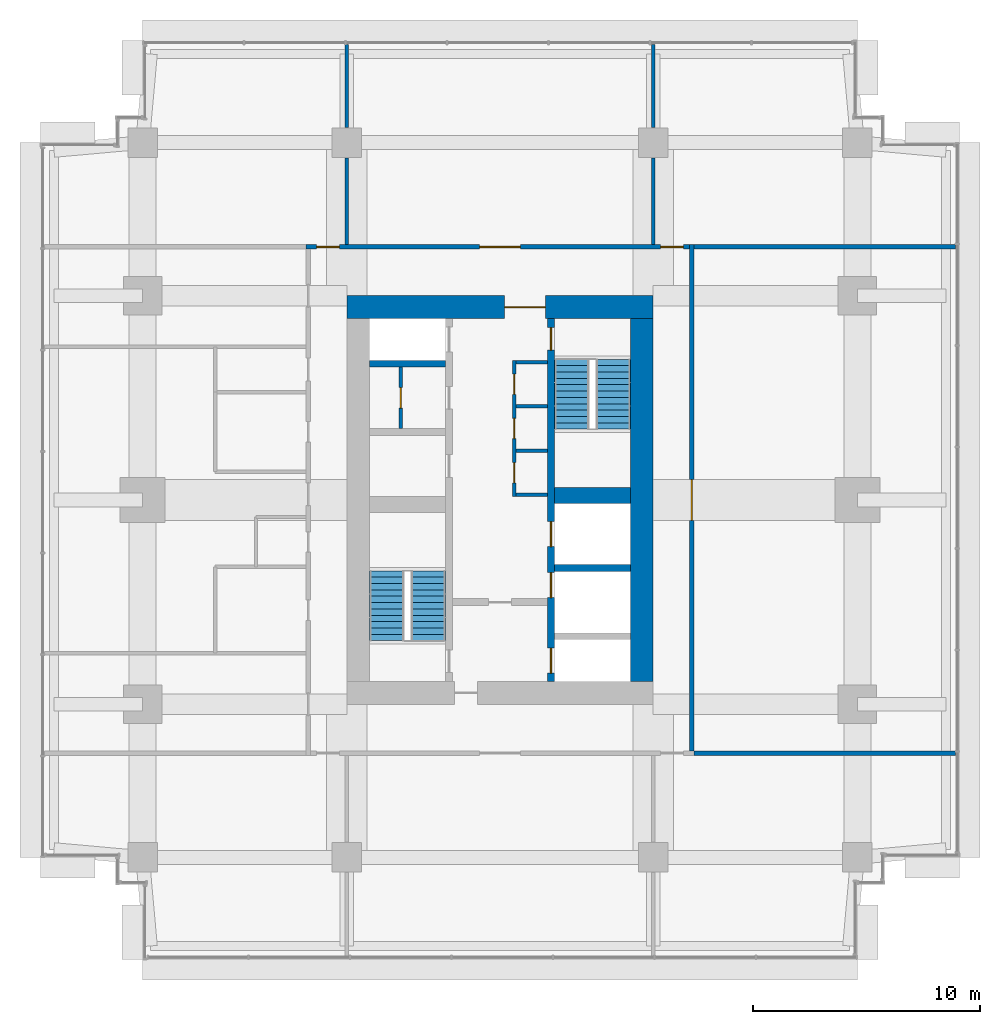
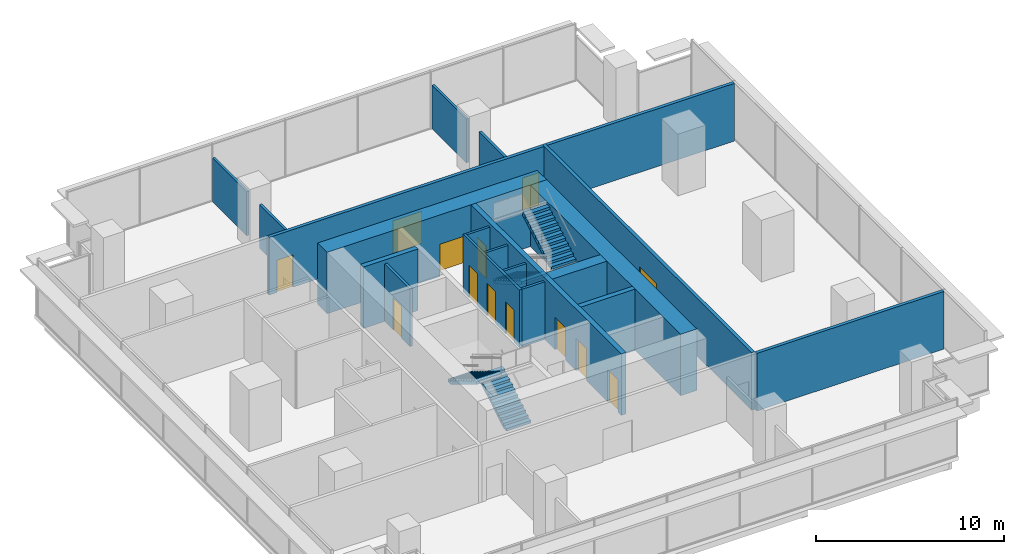
# One storey, part 12 of 13: 20 walls, 13 doors, 4 stair flights, 13 openings, 2 elements without a shape of their own.
"""IFC4 building model written with IfcOpenShell, lengths in metres."""

from ifc_helpers import new_model, si_unit, direction, frame, frame_2d, origin, place, context, subcontext, project, spatial, polyline, rectangle, outline, extrude, material, layer, layer_set, type_object, element, fill, aggregate, save


model = new_model("IFC4")

# Units and contexts
model_context = context("Model", 3, precision=1e-05, world=origin(), true_north=direction((0.0, 1.0)))
body_context = subcontext(model_context, "Body", "Model", "MODEL_VIEW")
ifc_project = project(units=[si_unit("LENGTHUNIT", "METRE"), si_unit("AREAUNIT", "SQUARE_METRE"), si_unit("VOLUMEUNIT", "CUBIC_METRE"), si_unit("PLANEANGLEUNIT", "RADIAN"), si_unit("MASSUNIT", "GRAM", prefix="KILO")], contexts=[model_context])

# Site, building, storey
site_placement = place(None, origin())
site = spatial("IfcSite", under=ifc_project, at=site_placement, CompositionType="ELEMENT")
building_placement = place(site_placement, origin())
building = spatial("IfcBuilding", under=site, at=building_placement, Name="Namib Vertical Campus", CompositionType="ELEMENT")
storey_placement = place(building_placement, frame((0.0, 0.0, 293.0)))
storey = spatial("IfcBuildingStorey", under=building, at=storey_placement, Name="L69", CompositionType="ELEMENT", Elevation=293.0)

# Wall, openings, doors
ifc_material_1 = material(Name="Concrete C60/75", Category="concrete")
ifc_layer_1 = layer(ifc_material_1, 0.300048828125)
ifc_layer_set_1 = layer_set([ifc_layer_1], Name="Concrete C60/75")
wall_type_1 = type_object("IfcWallType", Name="Core inner wall 300", PredefinedType="SHEAR", material=ifc_layer_set_1)
wall_1_placement = place(storey_placement, frame((22.5, 12.25, 0.0), z_axis=(0.0, 0.0, 1.0), x_axis=(0.0, 1.0, 0.0)))
wall_1 = element("IfcWall", 1, at=wall_1_placement, inside=storey, type_object=wall_type_1, Name="Core inner wall A L69 W2", PredefinedType="SHEAR", context=body_context, shape_type="SweptSolid", body=[
    extrude(rectangle(XDim=16.0, YDim=0.300048828125, at=frame_2d((8.0, 0.0))), origin(), (0.0, 0.0, 1.0), 4.0),
])
opening_1_placement = place(wall_1_placement, frame((14.60009765625, 0.0, 0.0)))
opening_1 = element("IfcOpeningElement", 2, at=opening_1_placement, cuts=wall_1, Name="Opening FD1", PredefinedType="OPENING", context=body_context, shape_type="SweptSolid", body=[
    extrude(rectangle(XDim=1.0, YDim=2.10009765625, at=frame_2d((0.5, 1.050048828125))), frame((0.0, 0.159912109375, 0.0), z_axis=(0.0, -1.0, 0.0), x_axis=(1.0, 0.0, 0.0)), (0.0, 0.0, 1.0), 0.320068359375),
])
opening_2_placement = place(wall_1_placement, frame((0.375, 0.0, 0.0)))
opening_2 = element("IfcOpeningElement", 3, at=opening_2_placement, cuts=wall_1, Name="Opening LD1", PredefinedType="OPENING", context=body_context, shape_type="SweptSolid", body=[
    extrude(rectangle(XDim=1.10009765625, YDim=2.10009765625, at=frame_2d((0.550048828125, 1.050048828125))), frame((0.0, 0.159912109375, 0.0), z_axis=(0.0, -1.0, 0.0), x_axis=(1.0, 0.0, 0.0)), (0.0, 0.0, 1.0), 0.320068359375),
])
opening_3_placement = place(wall_1_placement, frame((3.699951171875, 0.0, 0.0)))
opening_3 = element("IfcOpeningElement", 4, at=opening_3_placement, cuts=wall_1, Name="Opening LD1", PredefinedType="OPENING", context=body_context, shape_type="SweptSolid", body=[
    extrude(rectangle(XDim=1.10009765625, YDim=2.10009765625, at=frame_2d((0.550048828125, 1.050048828125))), frame((0.0, 0.159912109375, 0.0), z_axis=(0.0, -1.0, 0.0), x_axis=(1.0, 0.0, 0.0)), (0.0, 0.0, 1.0), 0.320068359375),
])
opening_4_placement = place(wall_1_placement, frame((5.949951171875, 0.0, 0.0)))
opening_4 = element("IfcOpeningElement", 5, at=opening_4_placement, cuts=wall_1, Name="Opening LD1", PredefinedType="OPENING", context=body_context, shape_type="SweptSolid", body=[
    extrude(rectangle(XDim=1.10009765625, YDim=2.10009765625, at=frame_2d((0.550048828125, 1.050048828125))), frame((0.0, 0.159912109375, 0.0), z_axis=(0.0, -1.0, 0.0), x_axis=(1.0, 0.0, 0.0)), (0.0, 0.0, 1.0), 0.320068359375),
])
ifc_material_2 = material(Name="Steel fire door", Category="steel")
door_type_1 = type_object("IfcDoorType", Name="Fire door 1000x2100", OperationType="SINGLE_SWING_RIGHT", PredefinedType="DOOR", material=ifc_material_2)
door_1_placement = place(opening_1_placement, frame((1.0, 0.0, 0.0), z_axis=(0.0, 0.0, 1.0), x_axis=(-1.0, 0.0, 0.0)))
door_1 = element("IfcDoor", 6, at=door_1_placement, inside=storey, type_object=door_type_1, Name="Stair door FD1 A L69 S2", OperationType="SINGLE_SWING_LEFT", OverallHeight=2.10009765625, OverallWidth=1.0, PredefinedType="DOOR", context=body_context, shape_type="SweptSolid", body=[
    extrude(rectangle(XDim=1.0, YDim=2.10009765625, at=frame_2d((0.5, 1.050048828125))), frame((0.0, 0.02490234375, 0.0), z_axis=(0.0, -1.0, 0.0), x_axis=(1.0, 0.0, 0.0)), (0.0, 0.0, 1.0), 0.050048828125),
])
fill(opening_1, door_1)
ifc_material_3 = material(Name="Stainless steel lift door", Category="steel")
door_type_2 = type_object("IfcDoorType", Name="Lift landing door 1100x2100", OperationType="DOUBLE_DOOR_SLIDING", PredefinedType="DOOR", material=ifc_material_3)
door_2_placement = place(opening_2_placement, origin())
door_2 = element("IfcDoor", 7, at=door_2_placement, inside=storey, type_object=door_type_2, Name="Lift landing door LD1 A-FL1 L69", OperationType="DOUBLE_DOOR_SLIDING", OverallHeight=2.10009765625, OverallWidth=1.10009765625, PredefinedType="DOOR", context=body_context, shape_type="SweptSolid", body=[
    extrude(rectangle(XDim=1.10009765625, YDim=2.10009765625, at=frame_2d((0.550048828125, 1.050048828125))), frame((0.0, 0.02490234375, 0.0), z_axis=(0.0, -1.0, 0.0), x_axis=(1.0, 0.0, 0.0)), (0.0, 0.0, 1.0), 0.050048828125),
])
fill(opening_2, door_2)
door_3_placement = place(opening_3_placement, origin())
door_3 = element("IfcDoor", 8, at=door_3_placement, inside=storey, type_object=door_type_2, Name="Lift landing door LD1 A-P4 L69", OperationType="DOUBLE_DOOR_SLIDING", OverallHeight=2.10009765625, OverallWidth=1.10009765625, PredefinedType="DOOR", context=body_context, shape_type="SweptSolid", body=[
    extrude(rectangle(XDim=1.10009765625, YDim=2.10009765625, at=frame_2d((0.550048828125, 1.050048828125))), frame((0.0, 0.02490234375, 0.0), z_axis=(0.0, -1.0, 0.0), x_axis=(1.0, 0.0, 0.0)), (0.0, 0.0, 1.0), 0.050048828125),
])
fill(opening_3, door_3)
door_4_placement = place(opening_4_placement, origin())
door_4 = element("IfcDoor", 9, at=door_4_placement, inside=storey, type_object=door_type_2, Name="Lift landing door LD1 A-P5 L69", OperationType="DOUBLE_DOOR_SLIDING", OverallHeight=2.10009765625, OverallWidth=1.10009765625, PredefinedType="DOOR", context=body_context, shape_type="SweptSolid", body=[
    extrude(rectangle(XDim=1.10009765625, YDim=2.10009765625, at=frame_2d((0.550048828125, 1.050048828125))), frame((0.0, 0.02490234375, 0.0), z_axis=(0.0, -1.0, 0.0), x_axis=(1.0, 0.0, 0.0)), (0.0, 0.0, 1.0), 0.050048828125),
])
fill(opening_4, door_4)

# Walls
for number, where, z_axis, x_axis, name in (
    (10, (22.64990234375, 17.25, 0.0), (0.0, 0.0, 1.0), (1.0, 0.0, 0.0), "Core inner wall A L69 W6"),
    (11, (14.5, 26.25, 0.0), (0.0, 0.0, 1.0), (1.0, 0.0, 0.0), "Core inner wall A L69 W9"),
):
    element("IfcWall", number, at=place(storey_placement, frame(where, z_axis=z_axis, x_axis=x_axis)), inside=storey, type_object=wall_type_1, Name=name, PredefinedType="SHEAR", context=body_context, shape_type="SweptSolid", body=[
        extrude(rectangle(XDim=3.35009765625, YDim=0.300048828125, at=frame_2d((1.675048828125, 0.0))), origin(), (0.0, 0.0, 1.0), 4.0),
    ])
ifc_material_4 = material(Name="Concrete C60/75", Category="concrete")
ifc_layer_2 = layer(ifc_material_4, 0.699951171875)
ifc_layer_set_2 = layer_set([ifc_layer_2], Name="Concrete C60/75")
wall_type_2 = type_object("IfcWallType", Name="Core shear wall 700", PredefinedType="SHEAR", material=ifc_layer_set_2)
wall_2_placement = place(storey_placement, frame((22.64990234375, 20.449951171875, 0.0), z_axis=(0.0, 0.0, 1.0), x_axis=(1.0, 0.0, 0.0)))
element("IfcWall", 12, at=wall_2_placement, inside=storey, type_object=wall_type_2, Name="Core shear wall A L69 W7", PredefinedType="SHEAR", context=body_context, shape_type="SweptSolid", body=[
    extrude(rectangle(XDim=3.35009765625, YDim=0.699951171875, at=frame_2d((1.675048828125, 0.0))), origin(), (0.0, 0.0, 1.0), 4.0),
])
ifc_material_5 = material(Name="Concrete C60/75", Category="concrete")
ifc_layer_3 = layer(ifc_material_5, 1.0)
ifc_layer_set_3 = layer_set([ifc_layer_3], Name="Concrete C60/75")
wall_type_3 = type_object("IfcWallType", Name="Core wall 1000", PredefinedType="SHEAR", material=ifc_layer_set_3)
wall_3_placement = place(storey_placement, frame((26.5, 12.25, 0.0), z_axis=(0.0, 0.0, 1.0), x_axis=(0.0, 1.0, 0.0)))
element("IfcWall", 13, at=wall_3_placement, inside=storey, type_object=wall_type_3, Name="Core wall A L69 2", PredefinedType="SHEAR", context=body_context, shape_type="SweptSolid", body=[
    extrude(rectangle(XDim=16.0, YDim=1.0, at=frame_2d((8.0, 0.0))), origin(), (0.0, 0.0, 1.0), 4.0),
])

# Wall, opening, door
wall_4_placement = place(storey_placement, frame((27.0, 28.75, 0.0), z_axis=(0.0, 0.0, 1.0), x_axis=(-1.0, 0.0, 0.0)))
wall_4 = element("IfcWall", 14, at=wall_4_placement, inside=storey, type_object=wall_type_3, Name="Core wall A L69 3", PredefinedType="SHEAR", context=body_context, shape_type="SweptSolid", body=[
    extrude(rectangle(XDim=13.5, YDim=1.0, at=frame_2d((6.75, 0.0))), origin(), (0.0, 0.0, 1.0), 4.0),
])
opening_5_placement = place(wall_4_placement, frame((4.75, 0.0, 0.0)))
opening_5 = element("IfcOpeningElement", 15, at=opening_5_placement, cuts=wall_4, Name="Opening FD2", PredefinedType="OPENING", context=body_context, shape_type="SweptSolid", body=[
    extrude(rectangle(XDim=1.800048828125, YDim=2.10009765625, at=frame_2d((0.89990234375, 1.050048828125))), frame((0.0, 0.510009765625, 0.0), z_axis=(0.0, -1.0, 0.0), x_axis=(1.0, 0.0, 0.0)), (0.0, 0.0, 1.0), 1.02001953125),
])
ifc_material_6 = material(Name="Steel fire door", Category="steel")
door_type_3 = type_object("IfcDoorType", Name="Fire door double 1800x2100", OperationType="DOUBLE_DOOR_SINGLE_SWING", PredefinedType="DOOR", material=ifc_material_6)
door_5_placement = place(opening_5_placement, origin())
door_5 = element("IfcDoor", 16, at=door_5_placement, inside=storey, type_object=door_type_3, Name="Lift lobby door FD2 A L69", OperationType="DOUBLE_DOOR_SINGLE_SWING", OverallHeight=2.10009765625, OverallWidth=1.800048828125, PredefinedType="DOOR", context=body_context, shape_type="SweptSolid", body=[
    extrude(rectangle(XDim=1.800048828125, YDim=2.10009765625, at=frame_2d((0.89990234375, 1.050048828125))), frame((0.0, 0.02490234375, 0.0), z_axis=(0.0, -1.0, 0.0), x_axis=(1.0, 0.0, 0.0)), (0.0, 0.0, 1.0), 0.050048828125),
])
fill(opening_5, door_5)

ifc_material_7 = material(Name="Concrete masonry", Category="masonry")
ifc_layer_4 = layer(ifc_material_7, 0.199951171875)
ifc_layer_set_4 = layer_set([ifc_layer_4], Name="Corridor wall 200")
wall_type_4 = type_object("IfcWallType", Name="Corridor wall 200", PredefinedType="SOLIDWALL", material=ifc_layer_set_4)
wall_5_placement = place(storey_placement, frame((28.699951171875, 9.199951171875, 0.0), z_axis=(0.0, 0.0, 1.0), x_axis=(0.0, 1.0, 0.0)))
wall_5 = element("IfcWall", 17, at=wall_5_placement, inside=storey, type_object=wall_type_4, Name="Corridor wall A L69 CE", PredefinedType="SOLIDWALL", context=body_context, shape_type="SweptSolid", body=[
    extrude(rectangle(XDim=22.300048828125, YDim=0.199951171875, at=frame_2d((11.14990234375, 0.0))), origin(), (0.0, 0.0, 1.0), 3.75),
])
opening_6_placement = place(wall_5_placement, frame((10.14990234375, 0.0, 0.0)))
opening_6 = element("IfcOpeningElement", 18, at=opening_6_placement, cuts=wall_5, Name="Opening CD2", PredefinedType="OPENING", context=body_context, shape_type="SweptSolid", body=[
    extrude(rectangle(XDim=1.800048828125, YDim=2.10009765625, at=frame_2d((0.89990234375, 1.050048828125))), frame((0.0, 0.10986328125, 0.0), z_axis=(0.0, -1.0, 0.0), x_axis=(1.0, 0.0, 0.0)), (0.0, 0.0, 1.0), 0.219970703125),
])
ifc_material_8 = material(Name="Timber fire door leaf", Category="wood")
door_type_4 = type_object("IfcDoorType", Name="Corridor door double 1800x2100 20 min", OperationType="DOUBLE_DOOR_SINGLE_SWING", PredefinedType="DOOR", material=ifc_material_8)
door_6_placement = place(opening_6_placement, frame((1.800048828125, 0.0, 0.0), z_axis=(0.0, 0.0, 1.0), x_axis=(-1.0, 0.0, 0.0)))
door_6 = element("IfcDoor", 19, at=door_6_placement, inside=storey, type_object=door_type_4, Name="Door CD2 A69-04", OperationType="DOUBLE_DOOR_SINGLE_SWING", OverallHeight=2.10009765625, OverallWidth=1.800048828125, PredefinedType="DOOR", context=body_context, shape_type="SweptSolid", body=[
    extrude(rectangle(XDim=1.800048828125, YDim=2.10009765625, at=frame_2d((0.89990234375, 1.050048828125))), frame((0.0, 0.02490234375, 0.0), z_axis=(0.0, -1.0, 0.0), x_axis=(1.0, 0.0, 0.0)), (0.0, 0.0, 1.0), 0.050048828125),
])
fill(opening_6, door_6)

# Wall, openings, doors
wall_6_placement = place(storey_placement, frame((28.60009765625, 31.39990234375, 0.0), z_axis=(0.0, 0.0, 1.0), x_axis=(-1.0, 0.0, 0.0)))
wall_6 = element("IfcWall", 20, at=wall_6_placement, inside=storey, type_object=wall_type_4, Name="Corridor wall A L69 CN", PredefinedType="SOLIDWALL", context=body_context, shape_type="SweptSolid", body=[
    extrude(rectangle(XDim=16.900146484375, YDim=0.199951171875, at=frame_2d((8.4501953125, 0.0))), origin(), (0.0, 0.0, 1.0), 3.75),
])
opening_7_placement = place(wall_6_placement, frame((15.425048828125, 0.0, 0.0)))
opening_7 = element("IfcOpeningElement", 21, at=opening_7_placement, cuts=wall_6, Name="Opening CD1", PredefinedType="OPENING", context=body_context, shape_type="SweptSolid", body=[
    extrude(rectangle(XDim=1.0, YDim=2.10009765625, at=frame_2d((0.5, 1.050048828125))), frame((0.0, 0.10986328125, 0.0), z_axis=(0.0, -1.0, 0.0), x_axis=(1.0, 0.0, 0.0)), (0.0, 0.0, 1.0), 0.219970703125),
])
opening_8_placement = place(wall_6_placement, frame((7.449951171875, 0.0, 0.0)))
opening_8 = element("IfcOpeningElement", 22, at=opening_8_placement, cuts=wall_6, Name="Opening CD2", PredefinedType="OPENING", context=body_context, shape_type="SweptSolid", body=[
    extrude(rectangle(XDim=1.800048828125, YDim=2.10009765625, at=frame_2d((0.89990234375, 1.050048828125))), frame((0.0, 0.10986328125, 0.0), z_axis=(0.0, -1.0, 0.0), x_axis=(1.0, 0.0, 0.0)), (0.0, 0.0, 1.0), 0.219970703125),
])
opening_9_placement = place(wall_6_placement, frame((0.27490234375, 0.0, 0.0)))
opening_9 = element("IfcOpeningElement", 23, at=opening_9_placement, cuts=wall_6, Name="Opening CD1", PredefinedType="OPENING", context=body_context, shape_type="SweptSolid", body=[
    extrude(rectangle(XDim=1.0, YDim=2.10009765625, at=frame_2d((0.5, 1.050048828125))), frame((0.0, 0.10986328125, 0.0), z_axis=(0.0, -1.0, 0.0), x_axis=(1.0, 0.0, 0.0)), (0.0, 0.0, 1.0), 0.219970703125),
])
ifc_material_9 = material(Name="Timber fire door leaf", Category="wood")
door_type_5 = type_object("IfcDoorType", Name="Corridor door 1000x2100 20 min", OperationType="SINGLE_SWING_LEFT", PredefinedType="DOOR", material=ifc_material_9)
door_7_placement = place(opening_7_placement, frame((1.0, 0.0, 0.0), z_axis=(0.0, 0.0, 1.0), x_axis=(-1.0, 0.0, 0.0)))
door_7 = element("IfcDoor", 24, at=door_7_placement, inside=storey, type_object=door_type_5, Name="Door CD1 A69-05", OperationType="SINGLE_SWING_RIGHT", OverallHeight=2.10009765625, OverallWidth=1.0, PredefinedType="DOOR", context=body_context, shape_type="SweptSolid", body=[
    extrude(rectangle(XDim=1.0, YDim=2.10009765625, at=frame_2d((0.5, 1.050048828125))), frame((0.0, 0.02490234375, 0.0), z_axis=(0.0, -1.0, 0.0), x_axis=(1.0, 0.0, 0.0)), (0.0, 0.0, 1.0), 0.050048828125),
])
fill(opening_7, door_7)
door_8_placement = place(opening_9_placement, frame((1.0, 0.0, 0.0), z_axis=(0.0, 0.0, 1.0), x_axis=(-1.0, 0.0, 0.0)))
door_8 = element("IfcDoor", 25, at=door_8_placement, inside=storey, type_object=door_type_5, Name="Door CD1 A69-07", OperationType="SINGLE_SWING_LEFT", OverallHeight=2.10009765625, OverallWidth=1.0, PredefinedType="DOOR", context=body_context, shape_type="SweptSolid", body=[
    extrude(rectangle(XDim=1.0, YDim=2.10009765625, at=frame_2d((0.5, 1.050048828125))), frame((0.0, 0.02490234375, 0.0), z_axis=(0.0, -1.0, 0.0), x_axis=(1.0, 0.0, 0.0)), (0.0, 0.0, 1.0), 0.050048828125),
])
fill(opening_9, door_8)
door_9_placement = place(opening_8_placement, frame((1.800048828125, 0.0, 0.0), z_axis=(0.0, 0.0, 1.0), x_axis=(-1.0, 0.0, 0.0)))
door_9 = element("IfcDoor", 26, at=door_9_placement, inside=storey, type_object=door_type_4, Name="Door CD2 A69-06", OperationType="DOUBLE_DOOR_SINGLE_SWING", OverallHeight=2.10009765625, OverallWidth=1.800048828125, PredefinedType="DOOR", context=body_context, shape_type="SweptSolid", body=[
    extrude(rectangle(XDim=1.800048828125, YDim=2.10009765625, at=frame_2d((0.89990234375, 1.050048828125))), frame((0.0, 0.02490234375, 0.0), z_axis=(0.0, -1.0, 0.0), x_axis=(1.0, 0.0, 0.0)), (0.0, 0.0, 1.0), 0.050048828125),
])
fill(opening_8, door_9)

# Walls
for number, where, z_axis, x_axis, name in (
    (27, (28.800048828125, 9.10009765625, 0.0), (0.0, 0.0, 1.0), (1.0, 0.0, 0.0), "Partition A L69 BSE"),
    (28, (28.800048828125, 31.39990234375, 0.0), (0.0, 0.0, 1.0), (1.0, 0.0, 0.0), "Partition A L69 BNE"),
):
    element("IfcWall", number, at=place(storey_placement, frame(where, z_axis=z_axis, x_axis=x_axis)), inside=storey, type_object=wall_type_4, Name=name, PredefinedType="SOLIDWALL", context=body_context, shape_type="SweptSolid", body=[
        extrude(rectangle(XDim=11.52001953125, YDim=0.199951171875, at=frame_2d((5.760009765625, 0.0))), origin(), (0.0, 0.0, 1.0), 3.75),
    ])

# Wall, openings, doors
ifc_material_10 = material(Name="Gypsum board on steel studs", Category="steel")
ifc_layer_5 = layer(ifc_material_10, 0.14990234375)
ifc_layer_set_5 = layer_set([ifc_layer_5], Name="Gypsum board on steel studs")
wall_type_5 = type_object("IfcWallType", Name="Partition 150", PredefinedType="PARTITIONING", material=ifc_layer_set_5)
wall_7_placement = place(storey_placement, frame((20.875, 20.39990234375, 0.0), z_axis=(0.0, 0.0, 1.0), x_axis=(0.0, 1.0, 0.0)))
wall_7 = element("IfcWall", 29, at=wall_7_placement, inside=storey, type_object=wall_type_5, Name="Partition A L69 Records store and Cleaners' store and Linen store front", PredefinedType="PARTITIONING", context=body_context, shape_type="SweptSolid", body=[
    extrude(rectangle(XDim=6.0, YDim=0.14990234375, at=frame_2d((3.0, 0.0))), origin(), (0.0, 0.0, 1.0), 3.75),
])
opening_10_placement = place(wall_7_placement, frame((0.60009765625, 0.0, 0.0)))
opening_10 = element("IfcOpeningElement", 30, at=opening_10_placement, cuts=wall_7, Name="Opening D3", PredefinedType="OPENING", context=body_context, shape_type="SweptSolid", body=[
    extrude(rectangle(XDim=0.89990234375, YDim=2.10009765625, at=frame_2d((0.449951171875, 1.050048828125))), frame((0.0, 0.0849609375, 0.0), z_axis=(0.0, -1.0, 0.0), x_axis=(1.0, 0.0, 0.0)), (0.0, 0.0, 1.0), 0.169921875),
])
opening_11_placement = place(wall_7_placement, frame((2.550048828125, 0.0, 0.0)))
opening_11 = element("IfcOpeningElement", 31, at=opening_11_placement, cuts=wall_7, Name="Opening D3", PredefinedType="OPENING", context=body_context, shape_type="SweptSolid", body=[
    extrude(rectangle(XDim=0.89990234375, YDim=2.10009765625, at=frame_2d((0.449951171875, 1.050048828125))), frame((0.0, 0.0849609375, 0.0), z_axis=(0.0, -1.0, 0.0), x_axis=(1.0, 0.0, 0.0)), (0.0, 0.0, 1.0), 0.169921875),
])
opening_12_placement = place(wall_7_placement, frame((4.5, 0.0, 0.0)))
opening_12 = element("IfcOpeningElement", 32, at=opening_12_placement, cuts=wall_7, Name="Opening D3", PredefinedType="OPENING", context=body_context, shape_type="SweptSolid", body=[
    extrude(rectangle(XDim=0.89990234375, YDim=2.10009765625, at=frame_2d((0.449951171875, 1.050048828125))), frame((0.0, 0.0849609375, 0.0), z_axis=(0.0, -1.0, 0.0), x_axis=(1.0, 0.0, 0.0)), (0.0, 0.0, 1.0), 0.169921875),
])
ifc_material_11 = material(Name="Timber door leaf", Category="wood")
door_type_6 = type_object("IfcDoorType", Name="Toilet door 900x2100", OperationType="SINGLE_SWING_LEFT", PredefinedType="DOOR", material=ifc_material_11)
door_10_placement = place(opening_10_placement, frame((0.89990234375, 0.0, 0.0), z_axis=(0.0, 0.0, 1.0), x_axis=(-1.0, 0.0, 0.0)))
door_10 = element("IfcDoor", 33, at=door_10_placement, inside=storey, type_object=door_type_6, Name="Door D3 Records store A L69", OperationType="SINGLE_SWING_RIGHT", OverallHeight=2.10009765625, OverallWidth=0.89990234375, PredefinedType="DOOR", context=body_context, shape_type="SweptSolid", body=[
    extrude(rectangle(XDim=0.89990234375, YDim=2.10009765625, at=frame_2d((0.449951171875, 1.050048828125))), frame((0.0, 0.02490234375, 0.0), z_axis=(0.0, -1.0, 0.0), x_axis=(1.0, 0.0, 0.0)), (0.0, 0.0, 1.0), 0.050048828125),
])
fill(opening_10, door_10)
door_11_placement = place(opening_11_placement, frame((0.89990234375, 0.0, 0.0), z_axis=(0.0, 0.0, 1.0), x_axis=(-1.0, 0.0, 0.0)))
door_11 = element("IfcDoor", 34, at=door_11_placement, inside=storey, type_object=door_type_6, Name="Door D3 Cleaners' store A L69", OperationType="SINGLE_SWING_RIGHT", OverallHeight=2.10009765625, OverallWidth=0.89990234375, PredefinedType="DOOR", context=body_context, shape_type="SweptSolid", body=[
    extrude(rectangle(XDim=0.89990234375, YDim=2.10009765625, at=frame_2d((0.449951171875, 1.050048828125))), frame((0.0, 0.02490234375, 0.0), z_axis=(0.0, -1.0, 0.0), x_axis=(1.0, 0.0, 0.0)), (0.0, 0.0, 1.0), 0.050048828125),
])
fill(opening_11, door_11)
door_12_placement = place(opening_12_placement, frame((0.89990234375, 0.0, 0.0), z_axis=(0.0, 0.0, 1.0), x_axis=(-1.0, 0.0, 0.0)))
door_12 = element("IfcDoor", 35, at=door_12_placement, inside=storey, type_object=door_type_6, Name="Door D3 Linen store A L69", OperationType="SINGLE_SWING_RIGHT", OverallHeight=2.10009765625, OverallWidth=0.89990234375, PredefinedType="DOOR", context=body_context, shape_type="SweptSolid", body=[
    extrude(rectangle(XDim=0.89990234375, YDim=2.10009765625, at=frame_2d((0.449951171875, 1.050048828125))), frame((0.0, 0.02490234375, 0.0), z_axis=(0.0, -1.0, 0.0), x_axis=(1.0, 0.0, 0.0)), (0.0, 0.0, 1.0), 0.050048828125),
])
fill(opening_12, door_12)

# Walls
for number, where, z_axis, x_axis, name in (
    (36, (20.949951171875, 20.47509765625, 0.0), (0.0, 0.0, 1.0), (1.0, 0.0, 0.0), "Partition A L69 Records store and Cleaners' store and Linen store end 1"),
    (37, (20.949951171875, 22.425048828125, 0.0), (0.0, 0.0, 1.0), (1.0, 0.0, 0.0), "Partition A L69 Records store and Cleaners' store and Linen store division 2"),
    (38, (20.949951171875, 24.375, 0.0), (0.0, 0.0, 1.0), (1.0, 0.0, 0.0), "Partition A L69 Records store and Cleaners' store and Linen store division 3"),
    (39, (20.949951171875, 26.324951171875, 0.0), (0.0, 0.0, 1.0), (1.0, 0.0, 0.0), "Partition A L69 Records store and Cleaners' store and Linen store end 4"),
):
    element("IfcWall", number, at=place(storey_placement, frame(where, z_axis=z_axis, x_axis=x_axis)), inside=storey, type_object=wall_type_5, Name=name, PredefinedType="PARTITIONING", context=body_context, shape_type="SweptSolid", body=[
        extrude(rectangle(XDim=1.400146484375, YDim=0.14990234375, at=frame_2d((0.7001953125, 0.0))), origin(), (0.0, 0.0, 1.0), 3.75),
    ])

# Wall, opening, door
wall_8_placement = place(storey_placement, frame((15.875, 23.39990234375, 0.0), z_axis=(0.0, 0.0, 1.0), x_axis=(0.0, 1.0, 0.0)))
wall_8 = element("IfcWall", 40, at=wall_8_placement, inside=storey, type_object=wall_type_5, Name="Partition A L69 Records store P2 back", PredefinedType="PARTITIONING", context=body_context, shape_type="SweptSolid", body=[
    extrude(rectangle(XDim=2.7001953125, YDim=0.14990234375, at=frame_2d((1.35009765625, 0.0))), origin(), (0.0, 0.0, 1.0), 3.75),
])
opening_13_placement = place(wall_8_placement, frame((0.89990234375, 0.0, 0.0)))
opening_13 = element("IfcOpeningElement", 41, at=opening_13_placement, cuts=wall_8, Name="Opening D3", PredefinedType="OPENING", context=body_context, shape_type="SweptSolid", body=[
    extrude(rectangle(XDim=0.89990234375, YDim=2.10009765625, at=frame_2d((0.449951171875, 1.050048828125))), frame((0.0, 0.0849609375, 0.0), z_axis=(0.0, -1.0, 0.0), x_axis=(1.0, 0.0, 0.0)), (0.0, 0.0, 1.0), 0.169921875),
])
door_13_placement = place(opening_13_placement, origin())
door_13 = element("IfcDoor", 42, at=door_13_placement, inside=storey, type_object=door_type_6, Name="Door D3 Store A L69 P2", OperationType="SINGLE_SWING_LEFT", OverallHeight=2.10009765625, OverallWidth=0.89990234375, PredefinedType="DOOR", context=body_context, shape_type="SweptSolid", body=[
    extrude(rectangle(XDim=0.89990234375, YDim=2.10009765625, at=frame_2d((0.449951171875, 1.050048828125))), frame((0.0, 0.02490234375, 0.0), z_axis=(0.0, -1.0, 0.0), x_axis=(1.0, 0.0, 0.0)), (0.0, 0.0, 1.0), 0.050048828125),
])
fill(opening_13, door_13)

# Walls
wall_9_placement = place(storey_placement, frame((13.5, 31.5, 0.0), z_axis=(0.0, 0.0, 1.0), x_axis=(0.0, 1.0, 0.0)))
element("IfcWall", 43, at=wall_9_placement, inside=storey, type_object=wall_type_5, Name="Partition A L69 PN1", PredefinedType="PARTITIONING", context=body_context, shape_type="SweptSolid", body=[
    extrude(rectangle(XDim=3.830078125, YDim=0.14990234375, at=frame_2d((1.9150390625, 0.0))), origin(), (0.0, 0.0, 1.0), 2.85009765625),
])
wall_10_placement = place(storey_placement, frame((13.5, 36.669921875, 0.0), z_axis=(0.0, 0.0, 1.0), x_axis=(0.0, 1.0, 0.0)))
element("IfcWall", 44, at=wall_10_placement, inside=storey, type_object=wall_type_5, Name="Partition A L69 PN1", PredefinedType="PARTITIONING", context=body_context, shape_type="SweptSolid", body=[
    extrude(rectangle(XDim=3.650146484375, YDim=0.14990234375, at=frame_2d((1.8251953125, 0.0))), origin(), (0.0, 0.0, 1.0), 2.85009765625),
])
wall_11_placement = place(storey_placement, frame((27.0, 31.5, 0.0), z_axis=(0.0, 0.0, 1.0), x_axis=(0.0, 1.0, 0.0)))
element("IfcWall", 45, at=wall_11_placement, inside=storey, type_object=wall_type_5, Name="Partition A L69 PN2", PredefinedType="PARTITIONING", context=body_context, shape_type="SweptSolid", body=[
    extrude(rectangle(XDim=3.830078125, YDim=0.14990234375, at=frame_2d((1.9150390625, 0.0))), origin(), (0.0, 0.0, 1.0), 2.85009765625),
])
wall_12_placement = place(storey_placement, frame((27.0, 36.669921875, 0.0), z_axis=(0.0, 0.0, 1.0), x_axis=(0.0, 1.0, 0.0)))
element("IfcWall", 46, at=wall_12_placement, inside=storey, type_object=wall_type_5, Name="Partition A L69 PN2", PredefinedType="PARTITIONING", context=body_context, shape_type="SweptSolid", body=[
    extrude(rectangle(XDim=3.650146484375, YDim=0.14990234375, at=frame_2d((1.8251953125, 0.0))), origin(), (0.0, 0.0, 1.0), 2.85009765625),
])

# Stair, stair flights
ifc_material_12 = material(Name="Concrete C40/50 precast", Category="concrete")
stair_type = type_object("IfcStairType", Name="Exit stair 4000 rise 24 risers 3350 wide", PredefinedType="HALF_TURN_STAIR", material=ifc_material_12)
stair_1_placement = place(storey_placement, origin())
stair_1 = element("IfcStair", 47, at=stair_1_placement, inside=storey, type_object=stair_type, Name="Exit stair A-S1 L69", PredefinedType="HALF_TURN_STAIR")
ifc_material_13 = material(Name="Concrete C40/50 precast", Category="concrete")
stair_flight_type = type_object("IfcStairFlightType", Name="Stair flight 12 risers 167 1525 wide", PredefinedType="STRAIGHT", material=ifc_material_13)
stair_flight_1_placement = place(storey_placement, frame((17.08740234375, 14.050048828125, 0.0), z_axis=(0.0, 0.0, 1.0), x_axis=(0.0, 1.0, 0.0)))
stair_flight_1 = element("IfcStairFlight", 48, at=stair_flight_1_placement, type_object=stair_flight_type, Name="A-S1 flight 1", NumberOfRisers=12, NumberOfTreads=11, PredefinedType="STRAIGHT", RiserHeight=0.166666667, TreadLength=0.28, context=body_context, shape_type="SweptSolid", body=[
    extrude(outline(polyline([(0.0, 0.0), (0.0, 0.166748046875), (0.280029296875, 0.166748046875), (0.280029296875, 0.333251953125), (0.56005859375, 0.333251953125), (0.56005859375, 0.5), (0.840087890625, 0.5), (0.840087890625, 0.666748046875), (1.1201171875, 0.666748046875), (1.1201171875, 0.833251953125), (1.39990234375, 0.833251953125), (1.39990234375, 1.0), (1.679931640625, 1.0), (1.679931640625, 1.166748046875), (1.9599609375, 1.166748046875), (1.9599609375, 1.333251953125), (2.239990234375, 1.333251953125), (2.239990234375, 1.5), (2.52001953125, 1.5), (2.52001953125, 1.666748046875), (2.800048828125, 1.666748046875), (2.800048828125, 1.833251953125), (3.080078125, 1.833251953125), (3.080078125, 2.0), (3.080078125, 1.658935546875), (0.29296875, 0.0), (0.0, 0.0)])), frame((0.0, 0.762451171875, 0.0), z_axis=(0.0, -1.0, 0.0), x_axis=(1.0, 0.0, 0.0)), (0.0, 0.0, 1.0), 1.52490234375),
])
stair_flight_2_placement = place(storey_placement, frame((15.262451171875, 17.1298828125, 2.0), z_axis=(0.0, 0.0, 1.0), x_axis=(0.0, -1.0, 0.0)))
stair_flight_2 = element("IfcStairFlight", 49, at=stair_flight_2_placement, type_object=stair_flight_type, Name="A-S1 flight 2", NumberOfRisers=12, NumberOfTreads=11, PredefinedType="STRAIGHT", RiserHeight=0.166666667, TreadLength=0.28, context=body_context, shape_type="SweptSolid", body=[
    extrude(outline(polyline([(0.0, 0.0), (0.0, 0.166748046875), (0.280029296875, 0.166748046875), (0.280029296875, 0.333251953125), (0.56005859375, 0.333251953125), (0.56005859375, 0.5), (0.840087890625, 0.5), (0.840087890625, 0.666748046875), (1.1201171875, 0.666748046875), (1.1201171875, 0.833251953125), (1.39990234375, 0.833251953125), (1.39990234375, 1.0), (1.679931640625, 1.0), (1.679931640625, 1.166748046875), (1.9599609375, 1.166748046875), (1.9599609375, 1.333251953125), (2.239990234375, 1.333251953125), (2.239990234375, 1.5), (2.52001953125, 1.5), (2.52001953125, 1.666748046875), (2.800048828125, 1.666748046875), (2.800048828125, 1.833251953125), (3.080078125, 1.833251953125), (3.080078125, 2.0), (3.080078125, 1.658935546875), (0.29296875, 0.0), (0.0, 0.0)])), frame((0.0, 0.762451171875, 0.0), z_axis=(0.0, -1.0, 0.0), x_axis=(1.0, 0.0, 0.0)), (0.0, 0.0, 1.0), 1.52490234375),
])
aggregate(stair_1, [stair_flight_1, stair_flight_2])

stair_2_placement = place(storey_placement, origin())
stair_2 = element("IfcStair", 50, at=stair_2_placement, inside=storey, type_object=stair_type, Name="Exit stair A-S2 L69", PredefinedType="HALF_TURN_STAIR")
stair_flight_3_placement = place(storey_placement, frame((23.41259765625, 26.449951171875, 0.0), z_axis=(0.0, 0.0, 1.0), x_axis=(0.0, -1.0, 0.0)))
stair_flight_3 = element("IfcStairFlight", 51, at=stair_flight_3_placement, type_object=stair_flight_type, Name="A-S2 flight 1", NumberOfRisers=12, NumberOfTreads=11, PredefinedType="STRAIGHT", RiserHeight=0.166666667, TreadLength=0.28, context=body_context, shape_type="SweptSolid", body=[
    extrude(outline(polyline([(0.0, 0.0), (0.0, 0.166748046875), (0.280029296875, 0.166748046875), (0.280029296875, 0.333251953125), (0.56005859375, 0.333251953125), (0.56005859375, 0.5), (0.840087890625, 0.5), (0.840087890625, 0.666748046875), (1.1201171875, 0.666748046875), (1.1201171875, 0.833251953125), (1.39990234375, 0.833251953125), (1.39990234375, 1.0), (1.679931640625, 1.0), (1.679931640625, 1.166748046875), (1.9599609375, 1.166748046875), (1.9599609375, 1.333251953125), (2.239990234375, 1.333251953125), (2.239990234375, 1.5), (2.52001953125, 1.5), (2.52001953125, 1.666748046875), (2.800048828125, 1.666748046875), (2.800048828125, 1.833251953125), (3.080078125, 1.833251953125), (3.080078125, 2.0), (3.080078125, 1.658935546875), (0.29296875, 0.0), (0.0, 0.0)])), frame((0.0, 0.762451171875, 0.0), z_axis=(0.0, -1.0, 0.0), x_axis=(1.0, 0.0, 0.0)), (0.0, 0.0, 1.0), 1.52490234375),
])
stair_flight_4_placement = place(storey_placement, frame((25.237548828125, 23.3701171875, 2.0), z_axis=(0.0, 0.0, 1.0), x_axis=(0.0, 1.0, 0.0)))
stair_flight_4 = element("IfcStairFlight", 52, at=stair_flight_4_placement, type_object=stair_flight_type, Name="A-S2 flight 2", NumberOfRisers=12, NumberOfTreads=11, PredefinedType="STRAIGHT", RiserHeight=0.166666667, TreadLength=0.28, context=body_context, shape_type="SweptSolid", body=[
    extrude(outline(polyline([(0.0, 0.0), (0.0, 0.166748046875), (0.280029296875, 0.166748046875), (0.280029296875, 0.333251953125), (0.56005859375, 0.333251953125), (0.56005859375, 0.5), (0.840087890625, 0.5), (0.840087890625, 0.666748046875), (1.1201171875, 0.666748046875), (1.1201171875, 0.833251953125), (1.39990234375, 0.833251953125), (1.39990234375, 1.0), (1.679931640625, 1.0), (1.679931640625, 1.166748046875), (1.9599609375, 1.166748046875), (1.9599609375, 1.333251953125), (2.239990234375, 1.333251953125), (2.239990234375, 1.5), (2.52001953125, 1.5), (2.52001953125, 1.666748046875), (2.800048828125, 1.666748046875), (2.800048828125, 1.833251953125), (3.080078125, 1.833251953125), (3.080078125, 2.0), (3.080078125, 1.658935546875), (0.29296875, 0.0), (0.0, 0.0)])), frame((0.0, 0.762451171875, 0.0), z_axis=(0.0, -1.0, 0.0), x_axis=(1.0, 0.0, 0.0)), (0.0, 0.0, 1.0), 1.52490234375),
])
aggregate(stair_2, [stair_flight_3, stair_flight_4])

save(model, "model.ifc")
